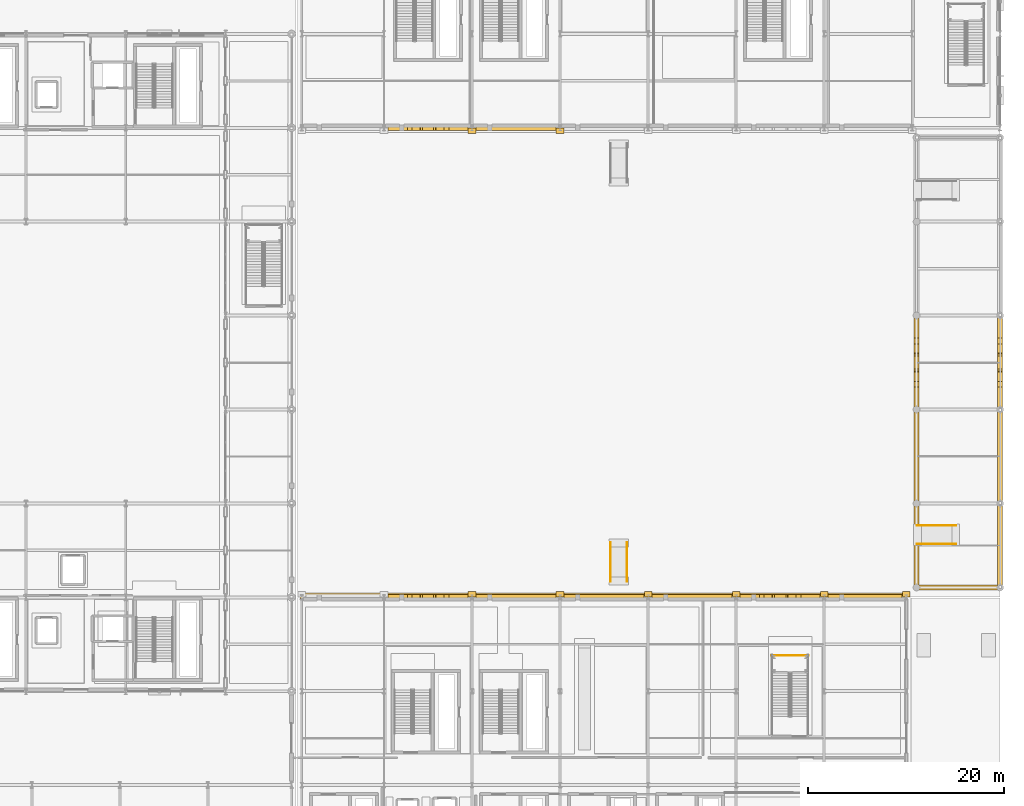
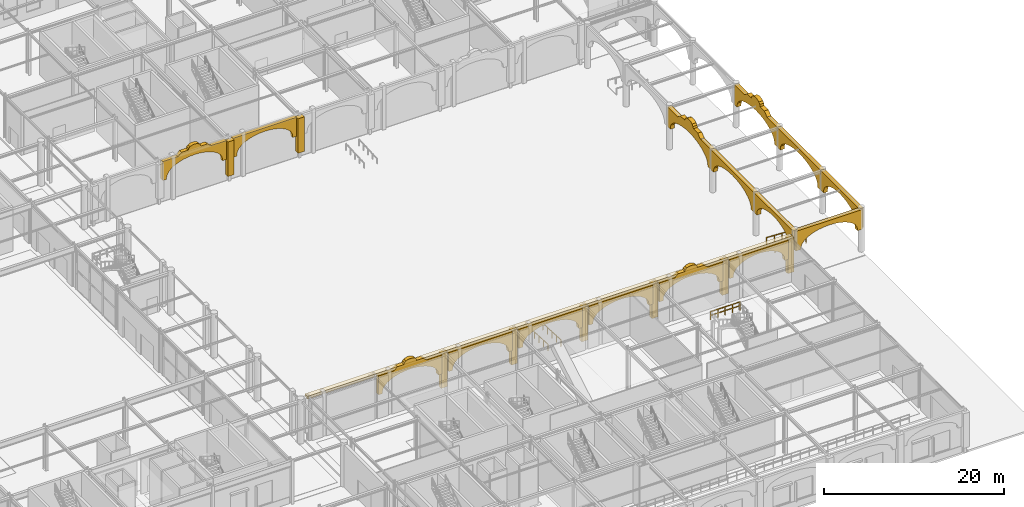
# One storey, part 103 of 113: 24 coverings, 5 railings.
"""IFC4 building model written with IfcOpenShell, lengths in metres."""

from ifc_helpers import new_model, si_unit, direction, frame, origin, origin_2d, place, context, subcontext, project, spatial, polyline, rectangle, outline, extrude, material, layer, layer_set, type_object, element, save


model = new_model("IFC4")

# Units and contexts
model_context = context("Model", 3, precision=1e-05, world=origin(), true_north=direction((0.0, 1.0)))
body_context = subcontext(model_context, "Body", "Model", "MODEL_VIEW")
ifc_project = project(units=[si_unit("LENGTHUNIT", "METRE"), si_unit("AREAUNIT", "SQUARE_METRE"), si_unit("VOLUMEUNIT", "CUBIC_METRE"), si_unit("PLANEANGLEUNIT", "RADIAN"), si_unit("MASSUNIT", "GRAM", prefix="KILO")], contexts=[model_context])

# Site, building, storey
site_placement = place(None, origin())
site = spatial("IfcSite", under=ifc_project, at=site_placement, CompositionType="ELEMENT")
building_placement = place(site_placement, origin())
building = spatial("IfcBuilding", under=site, at=building_placement, Name="Myrtia Square Station", CompositionType="ELEMENT")
storey_placement = place(building_placement, origin())
storey = spatial("IfcBuildingStorey", under=building, at=storey_placement, Name="L00", CompositionType="ELEMENT", Elevation=0.0)

# Coverings
ifc_material_1 = material(Name="Pentelic marble ashlar", Category="masonry")
ifc_layer_1 = layer(ifc_material_1, 0.4599609375, Name="Pentelic marble ashlar")
ifc_layer_set_1 = layer_set([ifc_layer_1], Name="Pentelic marble ashlar")
covering_type_1 = type_object("IfcCoveringType", Name="COV-ARCH-ASHLAR", PredefinedType="CLADDING", material=ifc_layer_set_1)
for number, where, z_axis, x_axis, name in (
    (1, (180.449951171875, 39.39990234375, 3.050048828125), (0.0, 0.0, 1.0), (0.0, 1.0, 0.0), "Forecourt square portales arch 001"),
    (2, (189.0, 39.39990234375, 3.050048828125), (0.0, 0.0, 1.0), (0.0, 1.0, 0.0), "Forecourt street portales arch 002"),
):
    element("IfcCovering", number, at=place(storey_placement, frame(where, z_axis=z_axis, x_axis=x_axis)), inside=storey, type_object=covering_type_1, Name=name, PredefinedType="CLADDING", context=body_context, shape_type="SweptSolid", body=[
        extrude(outline(polyline([(0.0, 0.0), (0.64990234375, 0.0), (0.64990234375, 0.199951171875), (0.72021484375, 0.570556640625), (0.927734375, 0.927001953125), (1.26513671875, 1.255615234375), (1.718994140625, 1.54345703125), (2.272216796875, 1.77978515625), (2.9033203125, 1.955322265625), (3.587890625, 2.0634765625), (4.300048828125, 2.099853515625), (5.01220703125, 2.0634765625), (5.69677734375, 1.955322265625), (6.327880859375, 1.77978515625), (6.881103515625, 1.54345703125), (7.3349609375, 1.255615234375), (7.67236328125, 0.927001953125), (7.8798828125, 0.570556640625), (7.9501953125, 0.199951171875), (7.9501953125, 0.0), (8.60009765625, 0.0), (8.60009765625, 2.669921875), (0.0, 2.669921875), (0.0, 0.0)])), frame((0.0, 0.260009765625, 0.0), z_axis=(0.0, -1.0, 0.0), x_axis=(1.0, 0.0, 0.0)), (0.0, 0.0, 1.0), 0.52001953125),
    ])
for number, where, z_axis, x_axis, name in (
    (3, (180.449951171875, 48.0, 3.050048828125), (0.0, 0.0, 1.0), (0.0, 1.0, 0.0), "Forecourt square portales arch 003"),
    (4, (189.0, 48.0, 3.050048828125), (0.0, 0.0, 1.0), (0.0, 1.0, 0.0), "Forecourt street portales arch 004"),
):
    element("IfcCovering", number, at=place(storey_placement, frame(where, z_axis=z_axis, x_axis=x_axis)), inside=storey, type_object=covering_type_1, Name=name, PredefinedType="CLADDING", context=body_context, shape_type="SweptSolid", body=[
        extrude(outline(polyline([(0.0, 0.0), (0.64990234375, 0.0), (0.64990234375, 0.199951171875), (0.729736328125, 0.570556640625), (0.9658203125, 0.927001953125), (1.349365234375, 1.255615234375), (1.865478515625, 1.54345703125), (2.494384765625, 1.77978515625), (3.2119140625, 1.955322265625), (3.990478515625, 2.0634765625), (4.800048828125, 2.099853515625), (5.609619140625, 2.0634765625), (6.38818359375, 1.955322265625), (7.105712890625, 1.77978515625), (7.734619140625, 1.54345703125), (8.250732421875, 1.255615234375), (8.63427734375, 0.927001953125), (8.870361328125, 0.570556640625), (8.9501953125, 0.199951171875), (8.9501953125, 0.0), (9.60009765625, 0.0), (9.60009765625, 2.669921875), (0.0, 2.669921875), (0.0, 0.0)])), frame((0.0, 0.260009765625, 0.0), z_axis=(0.0, -1.0, 0.0), x_axis=(1.0, 0.0, 0.0)), (0.0, 0.0, 1.0), 0.52001953125),
    ])
for number, where, z_axis, x_axis, name in (
    (5, (180.449951171875, 57.60009765625, 3.050048828125), (0.0, 0.0, 1.0), (0.0, 1.0, 0.0), "Forecourt square portales arch 005"),
    (6, (189.0, 57.60009765625, 3.050048828125), (0.0, 0.0, 1.0), (0.0, 1.0, 0.0), "Forecourt street portales arch 006"),
):
    element("IfcCovering", number, at=place(storey_placement, frame(where, z_axis=z_axis, x_axis=x_axis)), inside=storey, type_object=covering_type_1, Name=name, PredefinedType="CLADDING", context=body_context, shape_type="SweptSolid", body=[
        extrude(outline(polyline([(0.0, 0.0), (0.64990234375, 0.0), (0.64990234375, 0.199951171875), (0.729736328125, 0.570556640625), (0.9658203125, 0.927001953125), (1.349365234375, 1.255615234375), (1.865478515625, 1.54345703125), (2.494384765625, 1.77978515625), (3.2119140625, 1.955322265625), (3.990234375, 2.0634765625), (4.7998046875, 2.099853515625), (5.609619140625, 2.0634765625), (6.387939453125, 1.955322265625), (7.10546875, 1.77978515625), (7.734375, 1.54345703125), (8.25048828125, 1.255615234375), (8.634033203125, 0.927001953125), (8.8701171875, 0.570556640625), (8.949951171875, 0.199951171875), (8.949951171875, 0.0), (9.599853515625, 0.0), (9.599853515625, 2.669921875), (7.2958984375, 2.669921875), (6.719970703125, 3.15283203125), (5.760009765625, 3.15283203125), (5.686767578125, 3.408203125), (5.478759765625, 3.62451171875), (5.167236328125, 3.76904296875), (4.7998046875, 3.81982421875), (4.4326171875, 3.76904296875), (4.12109375, 3.62451171875), (3.9130859375, 3.408203125), (3.83984375, 3.15283203125), (2.8798828125, 3.15283203125), (2.303955078125, 2.669921875), (0.0, 2.669921875), (0.0, 0.0)])), frame((0.0, 0.260009765625, 0.0), z_axis=(0.0, -1.0, 0.0), x_axis=(1.0, 0.0, 0.0)), (0.0, 0.0, 1.0), 0.52001953125),
    ])
covering_1_placement = place(storey_placement, frame((180.449951171875, 39.39990234375, 3.050048828125), z_axis=(0.0, 0.0, 1.0), x_axis=(1.0, 0.0, 0.0)))
element("IfcCovering", 7, at=covering_1_placement, inside=storey, type_object=covering_type_1, Name="Spanish Colonial Revival portales arch 011", PredefinedType="CLADDING", context=body_context, shape_type="SweptSolid", body=[
    extrude(outline(polyline([(0.0, 0.0), (0.64990234375, 0.0), (0.64990234375, 0.199951171875), (0.7197265625, 0.560791015625), (0.926025390625, 0.907958984375), (1.260986328125, 1.227783203125), (1.711669921875, 1.508056640625), (2.260986328125, 1.73828125), (2.8876953125, 1.9091796875), (3.56787109375, 2.014404296875), (4.27490234375, 2.050048828125), (4.982177734375, 2.014404296875), (5.662353515625, 1.9091796875), (6.2890625, 1.73828125), (6.83837890625, 1.508056640625), (7.2890625, 1.227783203125), (7.6240234375, 0.907958984375), (7.830322265625, 0.560791015625), (7.900146484375, 0.199951171875), (7.900146484375, 0.0), (8.550048828125, 0.0), (8.550048828125, 2.669921875), (0.0, 2.669921875), (0.0, 0.0)])), frame((0.0, 0.260009765625, 0.0), z_axis=(0.0, -1.0, 0.0), x_axis=(1.0, 0.0, 0.0)), (0.0, 0.0, 1.0), 0.52001953125),
])
covering_2_placement = place(storey_placement, frame((126.419921875, 38.449951171875, 3.050048828125), z_axis=(0.0, 0.0, 1.0), x_axis=(1.0, 0.0, 0.0)))
element("IfcCovering", 8, at=covering_2_placement, inside=storey, type_object=covering_type_1, Name="South square portales arcade arch 015", PredefinedType="CLADDING", context=body_context, shape_type="SweptSolid", body=[
    extrude(outline(polyline([(0.0, 0.0), (0.5, 0.0), (0.5, 0.199951171875), (0.56884765625, 0.570556640625), (0.7724609375, 0.927001953125), (1.103271484375, 1.255615234375), (1.548583984375, 1.54345703125), (2.091064453125, 1.77978515625), (2.7099609375, 1.955322265625), (3.381591796875, 2.0634765625), (4.080078125, 2.099853515625), (4.778564453125, 2.0634765625), (5.4501953125, 1.955322265625), (6.069091796875, 1.77978515625), (6.611572265625, 1.54345703125), (7.056884765625, 1.255615234375), (7.3876953125, 0.927001953125), (7.59130859375, 0.570556640625), (7.66015625, 0.199951171875), (7.66015625, 0.0), (8.16015625, 0.0), (8.16015625, 2.570068359375), (6.20166015625, 2.570068359375), (5.712158203125, 2.968994140625), (4.89599609375, 2.968994140625), (4.833984375, 3.179931640625), (4.656982421875, 3.358642578125), (4.392333984375, 3.47802734375), (4.080078125, 3.52001953125), (3.767822265625, 3.47802734375), (3.503173828125, 3.358642578125), (3.326171875, 3.179931640625), (3.26416015625, 2.968994140625), (2.447998046875, 2.968994140625), (1.95849609375, 2.570068359375), (0.0, 2.570068359375), (0.0, 0.0)])), frame((0.0, 0.239990234375, 0.0), z_axis=(0.0, -1.0, 0.0), x_axis=(1.0, 0.0, 0.0)), (0.0, 0.0, 1.0), 0.47998046875),
])
for number, where, z_axis, x_axis, name in (
    (9, (135.419921875, 38.449951171875, 3.050048828125), (0.0, 0.0, 1.0), (1.0, 0.0, 0.0), "South square portales arcade arch 017"),
    (10, (144.419921875, 38.449951171875, 3.050048828125), (0.0, 0.0, 1.0), (1.0, 0.0, 0.0), "South square portales arcade arch 019"),
    (11, (153.419921875, 38.449951171875, 3.050048828125), (0.0, 0.0, 1.0), (1.0, 0.0, 0.0), "South square portales arcade arch 021"),
):
    element("IfcCovering", number, at=place(storey_placement, frame(where, z_axis=z_axis, x_axis=x_axis)), inside=storey, type_object=covering_type_1, Name=name, PredefinedType="CLADDING", context=body_context, shape_type="SweptSolid", body=[
        extrude(outline(polyline([(0.0, 0.0), (0.5, 0.0), (0.5, 0.199951171875), (0.56884765625, 0.570556640625), (0.7724609375, 0.927001953125), (1.103271484375, 1.255615234375), (1.548583984375, 1.54345703125), (2.091064453125, 1.77978515625), (2.7099609375, 1.955322265625), (3.381591796875, 2.0634765625), (4.080078125, 2.099853515625), (4.778564453125, 2.0634765625), (5.4501953125, 1.955322265625), (6.069091796875, 1.77978515625), (6.611572265625, 1.54345703125), (7.056884765625, 1.255615234375), (7.3876953125, 0.927001953125), (7.59130859375, 0.570556640625), (7.66015625, 0.199951171875), (7.66015625, 0.0), (8.16015625, 0.0), (8.16015625, 2.570068359375), (0.0, 2.570068359375), (0.0, 0.0)])), frame((0.0, 0.239990234375, 0.0), z_axis=(0.0, -1.0, 0.0), x_axis=(1.0, 0.0, 0.0)), (0.0, 0.0, 1.0), 0.47998046875),
    ])
covering_3_placement = place(storey_placement, frame((162.419921875, 38.449951171875, 3.050048828125), z_axis=(0.0, 0.0, 1.0), x_axis=(1.0, 0.0, 0.0)))
element("IfcCovering", 12, at=covering_3_placement, inside=storey, type_object=covering_type_1, Name="South square portales arcade arch 023", PredefinedType="CLADDING", context=body_context, shape_type="SweptSolid", body=[
    extrude(outline(polyline([(0.0, 0.0), (0.5, 0.0), (0.5, 0.199951171875), (0.56884765625, 0.570556640625), (0.7724609375, 0.927001953125), (1.103271484375, 1.255615234375), (1.548583984375, 1.54345703125), (2.091064453125, 1.77978515625), (2.7099609375, 1.955322265625), (3.381591796875, 2.0634765625), (4.080078125, 2.099853515625), (4.778564453125, 2.0634765625), (5.4501953125, 1.955322265625), (6.069091796875, 1.77978515625), (6.611572265625, 1.54345703125), (7.056884765625, 1.255615234375), (7.3876953125, 0.927001953125), (7.59130859375, 0.570556640625), (7.66015625, 0.199951171875), (7.66015625, 0.0), (8.16015625, 0.0), (8.16015625, 2.570068359375), (6.20166015625, 2.570068359375), (5.712158203125, 2.968994140625), (4.89599609375, 2.968994140625), (4.833984375, 3.179931640625), (4.656982421875, 3.358642578125), (4.392333984375, 3.47802734375), (4.080078125, 3.52001953125), (3.767822265625, 3.47802734375), (3.503173828125, 3.358642578125), (3.326171875, 3.179931640625), (3.26416015625, 2.968994140625), (2.447998046875, 2.968994140625), (1.95849609375, 2.570068359375), (0.0, 2.570068359375), (0.0, 0.0)])), frame((0.0, 0.239990234375, 0.0), z_axis=(0.0, -1.0, 0.0), x_axis=(1.0, 0.0, 0.0)), (0.0, 0.0, 1.0), 0.47998046875),
])
covering_4_placement = place(storey_placement, frame((171.419921875, 38.449951171875, 3.050048828125), z_axis=(0.0, 0.0, 1.0), x_axis=(1.0, 0.0, 0.0)))
element("IfcCovering", 13, at=covering_4_placement, inside=storey, type_object=covering_type_1, Name="South square portales arcade arch 025", PredefinedType="CLADDING", context=body_context, shape_type="SweptSolid", body=[
    extrude(outline(polyline([(0.0, 0.0), (0.5, 0.0), (0.5, 0.199951171875), (0.56298828125, 0.570556640625), (0.749755859375, 0.927001953125), (1.052734375, 1.255615234375), (1.460693359375, 1.54345703125), (1.957763671875, 1.77978515625), (2.52490234375, 1.955322265625), (3.14013671875, 2.0634765625), (3.780029296875, 2.099853515625), (4.419921875, 2.0634765625), (5.03515625, 1.955322265625), (5.602294921875, 1.77978515625), (6.099365234375, 1.54345703125), (6.50732421875, 1.255615234375), (6.810302734375, 0.927001953125), (6.9970703125, 0.570556640625), (7.06005859375, 0.199951171875), (7.06005859375, 0.0), (7.56005859375, 0.0), (7.56005859375, 2.570068359375), (0.0, 2.570068359375), (0.0, 0.0)])), frame((0.0, 0.239990234375, 0.0), z_axis=(0.0, -1.0, 0.0), x_axis=(1.0, 0.0, 0.0)), (0.0, 0.0, 1.0), 0.47998046875),
])
covering_5_placement = place(storey_placement, frame((126.419921875, 86.35009765625, 3.050048828125), z_axis=(0.0, 0.0, 1.0), x_axis=(1.0, 0.0, 0.0)))
element("IfcCovering", 14, at=covering_5_placement, inside=storey, type_object=covering_type_1, Name="North square portales arcade arch 029", PredefinedType="CLADDING", context=body_context, shape_type="SweptSolid", body=[
    extrude(outline(polyline([(0.0, 0.0), (0.5, 0.0), (0.5, 0.199951171875), (0.56884765625, 0.570556640625), (0.7724609375, 0.927001953125), (1.103271484375, 1.255615234375), (1.548583984375, 1.54345703125), (2.091064453125, 1.77978515625), (2.7099609375, 1.955322265625), (3.381591796875, 2.0634765625), (4.080078125, 2.099853515625), (4.778564453125, 2.0634765625), (5.4501953125, 1.955322265625), (6.069091796875, 1.77978515625), (6.611572265625, 1.54345703125), (7.056884765625, 1.255615234375), (7.3876953125, 0.927001953125), (7.59130859375, 0.570556640625), (7.66015625, 0.199951171875), (7.66015625, 0.0), (8.16015625, 0.0), (8.16015625, 2.570068359375), (6.20166015625, 2.570068359375), (5.712158203125, 2.968994140625), (4.89599609375, 2.968994140625), (4.833984375, 3.179931640625), (4.656982421875, 3.358642578125), (4.392333984375, 3.47802734375), (4.080078125, 3.52001953125), (3.767822265625, 3.47802734375), (3.503173828125, 3.358642578125), (3.326171875, 3.179931640625), (3.26416015625, 2.968994140625), (2.447998046875, 2.968994140625), (1.95849609375, 2.570068359375), (0.0, 2.570068359375), (0.0, 0.0)])), frame((0.0, 0.239990234375, 0.0), z_axis=(0.0, -1.0, 0.0), x_axis=(1.0, 0.0, 0.0)), (0.0, 0.0, 1.0), 0.47998046875),
])
covering_6_placement = place(storey_placement, frame((135.419921875, 86.35009765625, 3.050048828125), z_axis=(0.0, 0.0, 1.0), x_axis=(1.0, 0.0, 0.0)))
element("IfcCovering", 15, at=covering_6_placement, inside=storey, type_object=covering_type_1, Name="North square portales arcade arch 031", PredefinedType="CLADDING", context=body_context, shape_type="SweptSolid", body=[
    extrude(outline(polyline([(0.0, 0.0), (0.5, 0.0), (0.5, 0.199951171875), (0.56884765625, 0.570556640625), (0.7724609375, 0.927001953125), (1.103271484375, 1.255615234375), (1.548583984375, 1.54345703125), (2.091064453125, 1.77978515625), (2.7099609375, 1.955322265625), (3.381591796875, 2.0634765625), (4.080078125, 2.099853515625), (4.778564453125, 2.0634765625), (5.4501953125, 1.955322265625), (6.069091796875, 1.77978515625), (6.611572265625, 1.54345703125), (7.056884765625, 1.255615234375), (7.3876953125, 0.927001953125), (7.59130859375, 0.570556640625), (7.66015625, 0.199951171875), (7.66015625, 0.0), (8.16015625, 0.0), (8.16015625, 2.570068359375), (0.0, 2.570068359375), (0.0, 0.0)])), frame((0.0, 0.239990234375, 0.0), z_axis=(0.0, -1.0, 0.0), x_axis=(1.0, 0.0, 0.0)), (0.0, 0.0, 1.0), 0.47998046875),
])
for number, where, z_axis, x_axis, name in (
    (16, (135.0, 38.719970703125, 0.919921875), (0.0, 0.0, 1.0), (1.0, 0.0, 0.0), "Classical Pentelic ashlar pilaster 017"),
    (17, (144.0, 38.719970703125, 0.919921875), (0.0, 0.0, 1.0), (1.0, 0.0, 0.0), "Classical Pentelic ashlar pilaster 025"),
    (18, (153.0, 38.719970703125, 0.919921875), (0.0, 0.0, 1.0), (1.0, 0.0, 0.0), "Classical Pentelic ashlar pilaster 033"),
    (19, (162.0, 38.719970703125, 0.919921875), (0.0, 0.0, 1.0), (1.0, 0.0, 0.0), "Classical Pentelic ashlar pilaster 039"),
    (20, (171.0, 38.719970703125, 0.919921875), (0.0, 0.0, 1.0), (1.0, 0.0, 0.0), "Classical Pentelic ashlar pilaster 045"),
    (21, (179.39990234375, 38.719970703125, 0.919921875), (0.0, 0.0, 1.0), (1.0, 0.0, 0.0), "Classical Pentelic ashlar pilaster 049"),
    (22, (135.0, 86.080078125, 0.919921875), (0.0, 0.0, 1.0), (1.0, 0.0, 0.0), "Classical Pentelic ashlar pilaster 068"),
    (23, (144.0, 86.080078125, 0.919921875), (0.0, 0.0, 1.0), (1.0, 0.0, 0.0), "Classical Pentelic ashlar pilaster 077"),
):
    element("IfcCovering", number, at=place(storey_placement, frame(where, z_axis=z_axis, x_axis=x_axis)), inside=storey, type_object=covering_type_1, Name=name, PredefinedType="CLADDING", context=body_context, shape_type="SweptSolid", body=[
        extrude(rectangle(XDim=0.780029296875, YDim=0.56005859375, at=origin_2d()), origin(), (0.0, 0.0, 1.0), 4.679931640625),
    ])
ifc_layer_2 = layer(ifc_material_1, 0.47998046875, Name="Pentelic marble ashlar")
ifc_layer_set_2 = layer_set([ifc_layer_2], Name="Pentelic marble ashlar")
covering_type_2 = type_object("IfcCoveringType", Name="COV-CORNICE-ASHLAR", PredefinedType="MOLDING", material=ifc_layer_set_2)
covering_7_placement = place(storey_placement, frame((148.449951171875, 38.570068359375, 5.6201171875), z_axis=(0.0, 0.0, 1.0), x_axis=(1.0, 0.0, 0.0)))
element("IfcCovering", 24, at=covering_7_placement, inside=storey, type_object=covering_type_2, Name="Classical entablature cornice moulding 001", PredefinedType="MOLDING", context=body_context, shape_type="SweptSolid", body=[
    extrude(rectangle(XDim=62.10009765625, YDim=0.580078125, at=origin_2d()), origin(), (0.0, 0.0, 1.0), 0.360107421875),
])

# Railings
ifc_material_2 = material(Name="Dark bronze anodised aluminium", Category="aluminium")
railing_type_1 = type_object("IfcRailingType", Name="RL-HANDRAIL-900", PredefinedType="HANDRAIL", material=ifc_material_2)
for number, where, name in (
    (25, (184.5, 43.860107421875, -0.199951171875), "Accessible ramp handrail RP2-L"),
    (26, (184.5, 45.739990234375, -0.199951171875), "Accessible ramp handrail RP2-R"),
):
    element("IfcRailing", number, at=place(storey_placement, frame(where)), inside=storey, type_object=railing_type_1, Name=name, PredefinedType="HANDRAIL", context=body_context, shape_type="SweptSolid", body=[
        extrude(rectangle(XDim=0.048095703125, YDim=0.048095703125, at=origin_2d()), frame((-0.03466796875, 0.0, 0.877685546875), z_axis=(-0.998752946874, 0.0, 0.049925455535), x_axis=(0.0, -1.0, 0.0)), (0.0, 0.0, 1.0), 0.931884765625),
        extrude(rectangle(XDim=0.048095703125, YDim=0.048095703125, at=origin_2d()), frame((-1.03466796875, 0.0, 0.927490234375), z_axis=(-0.998752946874, 0.0, 0.049925455535), x_axis=(0.0, -1.0, 0.0)), (0.0, 0.0, 1.0), 0.931884765625),
        extrude(rectangle(XDim=0.048095703125, YDim=0.048095703125, at=origin_2d()), frame((-2.03466796875, 0.0, 0.9775390625), z_axis=(-0.998752946874, 0.0, 0.049925455535), x_axis=(0.0, -1.0, 0.0)), (0.0, 0.0, 1.0), 0.931884765625),
        extrude(rectangle(XDim=0.048095703125, YDim=0.048095703125, at=origin_2d()), frame((-3.03466796875, 0.0, 1.027587890625), z_axis=(-0.998752946874, 0.0, 0.049925455535), x_axis=(0.0, -1.0, 0.0)), (0.0, 0.0, 1.0), 0.931884765625),
        extrude(rectangle(XDim=0.0439453125, YDim=0.0439453125, at=origin_2d()), origin(), (0.0, 0.0, 1.0), 0.89990234375),
        extrude(rectangle(XDim=0.0439453125, YDim=0.0439453125, at=origin_2d()), frame((-1.0, 0.0, 0.050048828125)), (0.0, 0.0, 1.0), 0.89990234375),
        extrude(rectangle(XDim=0.0439453125, YDim=0.0439453125, at=origin_2d()), frame((-2.0, 0.0, 0.10009765625)), (0.0, 0.0, 1.0), 0.89990234375),
        extrude(rectangle(XDim=0.0439453125, YDim=0.0439453125, at=origin_2d()), frame((-3.0, 0.0, 0.14990234375)), (0.0, 0.0, 1.0), 0.89990234375),
        extrude(rectangle(XDim=0.0439453125, YDim=0.0439453125, at=origin_2d()), frame((-4.0, 0.0, 0.199951171875)), (0.0, 0.0, 1.0), 0.89990234375),
    ])
for number, where, name in (
    (27, (150.840087890625, 44.0, -0.199951171875), "Accessible ramp handrail RP5-L"),
    (28, (149.159912109375, 44.0, -0.199951171875), "Accessible ramp handrail RP5-R"),
):
    element("IfcRailing", number, at=place(storey_placement, frame(where)), inside=storey, type_object=railing_type_1, Name=name, PredefinedType="HANDRAIL", context=body_context, shape_type="SweptSolid", body=[
        extrude(rectangle(XDim=0.048095703125, YDim=0.048095703125, at=origin_2d()), frame((0.0, -0.03466796875, 0.877685546875), z_axis=(0.0, -0.998752946874, 0.049925455535), x_axis=(1.0, 0.0, 0.0)), (0.0, 0.0, 1.0), 0.931884765625),
        extrude(rectangle(XDim=0.048095703125, YDim=0.048095703125, at=origin_2d()), frame((0.0, -1.03466796875, 0.927490234375), z_axis=(0.0, -0.998752946874, 0.049925455535), x_axis=(1.0, 0.0, 0.0)), (0.0, 0.0, 1.0), 0.931884765625),
        extrude(rectangle(XDim=0.048095703125, YDim=0.048095703125, at=origin_2d()), frame((0.0, -2.03466796875, 0.9775390625), z_axis=(0.0, -0.998752946874, 0.049925455535), x_axis=(1.0, 0.0, 0.0)), (0.0, 0.0, 1.0), 0.931884765625),
        extrude(rectangle(XDim=0.048095703125, YDim=0.048095703125, at=origin_2d()), frame((0.0, -3.03466796875, 1.027587890625), z_axis=(0.0, -0.998752946874, 0.049925455535), x_axis=(1.0, 0.0, 0.0)), (0.0, 0.0, 1.0), 0.931884765625),
        extrude(rectangle(XDim=0.0439453125, YDim=0.0439453125, at=origin_2d()), origin(), (0.0, 0.0, 1.0), 0.89990234375),
        extrude(rectangle(XDim=0.0439453125, YDim=0.0439453125, at=origin_2d()), frame((0.0, -1.0, 0.050048828125)), (0.0, 0.0, 1.0), 0.89990234375),
        extrude(rectangle(XDim=0.0439453125, YDim=0.0439453125, at=origin_2d()), frame((0.0, -2.0, 0.10009765625)), (0.0, 0.0, 1.0), 0.89990234375),
        extrude(rectangle(XDim=0.0439453125, YDim=0.0439453125, at=origin_2d()), frame((0.0, -3.0, 0.14990234375)), (0.0, 0.0, 1.0), 0.89990234375),
        extrude(rectangle(XDim=0.0439453125, YDim=0.0439453125, at=origin_2d()), frame((0.0, -4.0, 0.199951171875)), (0.0, 0.0, 1.0), 0.89990234375),
    ])
ifc_material_3 = material(Name="Wrought iron", Category="steel")
railing_type_2 = type_object("IfcRailingType", Name="RL-INT-GUARD-1100", PredefinedType="BALUSTRADE", material=ifc_material_3)
railing_placement = place(storey_placement, frame((169.39990234375, 32.449951171875, 3.0)))
element("IfcRailing", 29, at=railing_placement, inside=storey, type_object=railing_type_2, Name="L00 ST71 stair guard 5", PredefinedType="BALUSTRADE", context=body_context, shape_type="SweptSolid", body=[
    extrude(rectangle(XDim=0.048095703125, YDim=0.048095703125, at=origin_2d()), frame((-0.03466796875, 0.0, 1.09619140625), z_axis=(-1.0, 0.0, 0.0), x_axis=(0.0, -1.0, 0.0)), (0.0, 0.0, 1.0), 0.87060546875),
    extrude(rectangle(XDim=0.048095703125, YDim=0.048095703125, at=origin_2d()), frame((-0.03466796875, 0.0, 0.58251953125), z_axis=(-1.0, 0.0, 0.0), x_axis=(0.0, -1.0, 0.0)), (0.0, 0.0, 1.0), 0.87060546875),
    extrude(rectangle(XDim=0.048095703125, YDim=0.048095703125, at=origin_2d()), frame((-0.974609375, 0.0, 1.09619140625), z_axis=(-1.0, 0.0, 0.0), x_axis=(0.0, -1.0, 0.0)), (0.0, 0.0, 1.0), 0.87060546875),
    extrude(rectangle(XDim=0.048095703125, YDim=0.048095703125, at=origin_2d()), frame((-0.974609375, 0.0, 0.58251953125), z_axis=(-1.0, 0.0, 0.0), x_axis=(0.0, -1.0, 0.0)), (0.0, 0.0, 1.0), 0.87060546875),
    extrude(rectangle(XDim=0.048095703125, YDim=0.048095703125, at=origin_2d()), frame((-1.91455078125, 0.0, 1.09619140625), z_axis=(-1.0, 0.0, 0.0), x_axis=(0.0, -1.0, 0.0)), (0.0, 0.0, 1.0), 0.87060546875),
    extrude(rectangle(XDim=0.048095703125, YDim=0.048095703125, at=origin_2d()), frame((-1.91455078125, 0.0, 0.58251953125), z_axis=(-1.0, 0.0, 0.0), x_axis=(0.0, -1.0, 0.0)), (0.0, 0.0, 1.0), 0.87060546875),
    extrude(rectangle(XDim=0.048095703125, YDim=0.048095703125, at=origin_2d()), frame((-2.854736328125, 0.0, 1.09619140625), z_axis=(-1.0, 0.0, 0.0), x_axis=(0.0, -1.0, 0.0)), (0.0, 0.0, 1.0), 0.87060546875),
    extrude(rectangle(XDim=0.048095703125, YDim=0.048095703125, at=origin_2d()), frame((-2.854736328125, 0.0, 0.58251953125), z_axis=(-1.0, 0.0, 0.0), x_axis=(0.0, -1.0, 0.0)), (0.0, 0.0, 1.0), 0.87060546875),
    extrude(rectangle(XDim=0.0439453125, YDim=0.0439453125, at=origin_2d()), origin(), (0.0, 0.0, 1.0), 1.1201171875),
    extrude(rectangle(XDim=0.0439453125, YDim=0.0439453125, at=origin_2d()), frame((-0.93994140625, 0.0, 0.0)), (0.0, 0.0, 1.0), 1.1201171875),
    extrude(rectangle(XDim=0.0439453125, YDim=0.0439453125, at=origin_2d()), frame((-1.8798828125, 0.0, 0.0)), (0.0, 0.0, 1.0), 1.1201171875),
    extrude(rectangle(XDim=0.0439453125, YDim=0.0439453125, at=origin_2d()), frame((-2.820068359375, 0.0, 0.0)), (0.0, 0.0, 1.0), 1.1201171875),
    extrude(rectangle(XDim=0.0439453125, YDim=0.0439453125, at=origin_2d()), frame((-3.760009765625, 0.0, 0.0)), (0.0, 0.0, 1.0), 1.1201171875),
])

save(model, "model.ifc")
